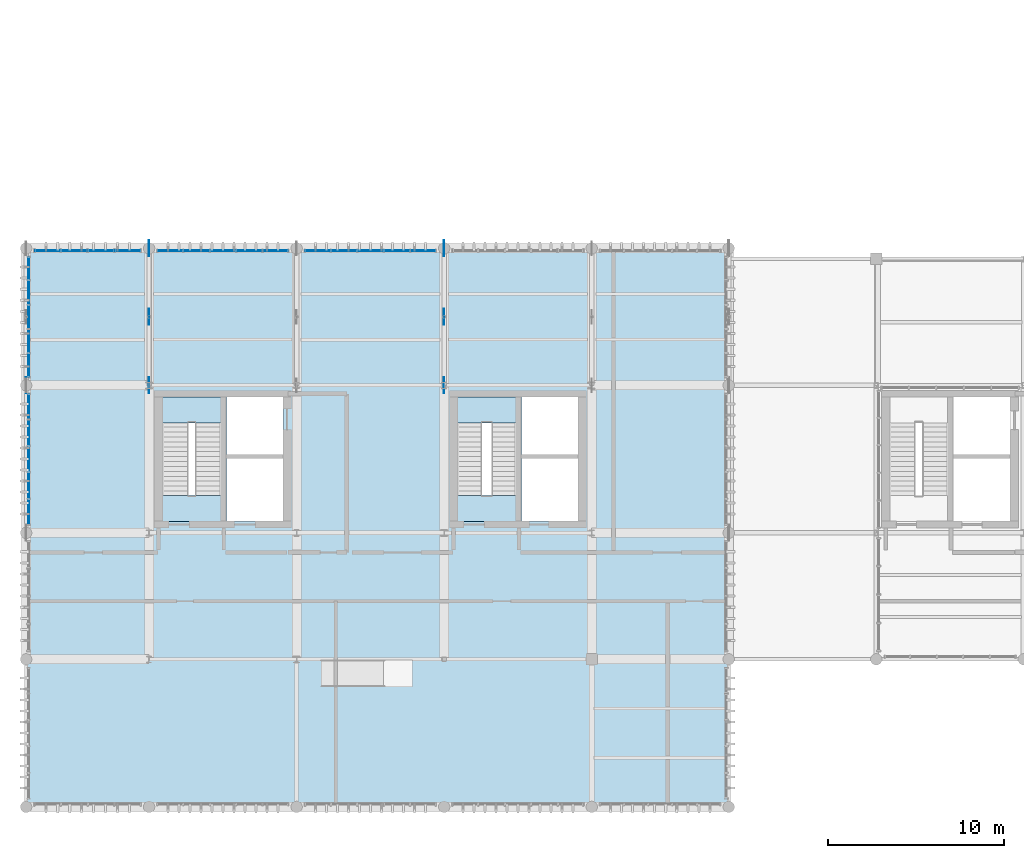
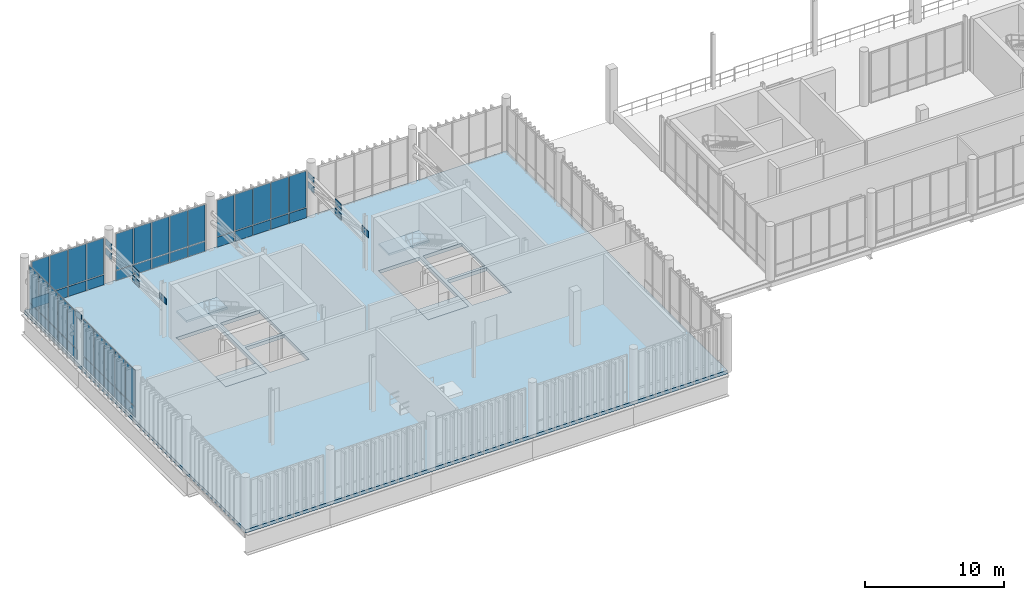
# One storey, part 60 of 81: 59 plates, 5 slabs, 7 elements without a shape of their own.
"""IFC4 building model written with IfcOpenShell, lengths in metres."""

import ifcopenshell
import ifcopenshell.guid

model = None  # the IFC model being written
_history = None  # IfcOwnerHistory: only IFC2X3 demands one
_inside = {}  # id of a spatial element -> (the spatial element, [elements in it])
_under = {}  # id of a project, library or spatial element -> (it, [spatial elements below it])
_declared = {}  # id of a project -> (the project, [libraries it declares])
_typed = {}  # id of a type object -> (the type object, [elements of that type])
_made_of = {}  # id of a material, layer set ... -> (it, [elements and type objects made of it])


def new_model(schema):
    """Start an empty IFC model of exactly this schema.

    Asked for "IFC4X3", IfcOpenShell would pick the latest addendum, in which some entities
    have other attributes; the version numbers below select the first issue.
    IFC2X3 requires an IfcOwnerHistory on every rooted entity: one is made here for all.
    """
    global model, _history
    if schema == "IFC4X3":
        model = ifcopenshell.file(schema_version=(4, 3, 0, 0))
    else:
        model = ifcopenshell.file(schema=schema)
    _inside.clear()
    _under.clear()
    _declared.clear()
    _typed.clear()
    _made_of.clear()
    _history = None
    if model.schema == "IFC2X3":
        org = make("IfcOrganization", Name="unknown")
        user = make(
            "IfcPersonAndOrganization",
            ThePerson=make("IfcPerson", FamilyName="unknown"),
            TheOrganization=org,
        )
        app = make(
            "IfcApplication",
            ApplicationDeveloper=org,
            Version="unknown",
            ApplicationFullName="unknown",
            ApplicationIdentifier="unknown",
        )
        _history = make(
            "IfcOwnerHistory",
            OwningUser=user,
            OwningApplication=app,
            ChangeAction="ADDED",
            CreationDate=0,
        )
    return model


def make(cls, **values):
    """One entity of the class cls with the attributes given. An attribute that is None is left unset."""
    return model.create_entity(
        cls, **{name: value for name, value in values.items() if value is not None}
    )


def rooted(cls, **values):
    """An entity with a GlobalId (a new one), such as an element, a storey or a relation."""
    return make(cls, GlobalId=ifcopenshell.guid.new(), OwnerHistory=_history, **values)


def si_unit(unit_type, name, prefix=None):
    """IfcSIUnit, for example si_unit("LENGTHUNIT", "METRE", prefix="MILLI")."""
    return make("IfcSIUnit", UnitType=unit_type, Prefix=prefix, Name=name)


def assignment(units):
    """IfcUnitAssignment: the units of a project."""
    return None if units is None else make("IfcUnitAssignment", Units=units)


def point(xyz):
    """IfcCartesianPoint."""
    return None if xyz is None else make("IfcCartesianPoint", Coordinates=xyz)


def direction(xyz):
    """IfcDirection."""
    return None if xyz is None else make("IfcDirection", DirectionRatios=xyz)


def frame(location, z_axis=None, x_axis=None):
    """IfcAxis2Placement3D, a coordinate frame: its origin and axes. An axis left out is left unset."""
    return make(
        "IfcAxis2Placement3D",
        Location=point(location),
        Axis=direction(z_axis),
        RefDirection=direction(x_axis),
    )


def frame_2d(location, x_axis=None):
    """IfcAxis2Placement2D, a coordinate frame in the plane: its origin and x axis."""
    return make(
        "IfcAxis2Placement2D", Location=point(location), RefDirection=direction(x_axis)
    )


def origin_with_axes():
    """The frame at (0, 0, 0) with the z axis (0, 0, 1) and the x axis (1, 0, 0) written out."""
    return frame((0.0, 0.0, 0.0), z_axis=(0.0, 0.0, 1.0), x_axis=(1.0, 0.0, 0.0))


def origin_2d_with_axis():
    """The frame at (0, 0) in the plane with the x axis (1, 0) written out."""
    return frame_2d((0.0, 0.0), x_axis=(1.0, 0.0))


def place(relative_to, where):
    """IfcLocalPlacement: puts the frame where relative to a parent placement (None: the world)."""
    return make(
        "IfcLocalPlacement", PlacementRelTo=relative_to, RelativePlacement=where
    )


def context(
    kind, dimensions, precision=None, world=None, true_north=None, identifier=None
):
    """IfcGeometricRepresentationContext, for example the 3D "Model" context."""
    return make(
        "IfcGeometricRepresentationContext",
        ContextIdentifier=identifier,
        ContextType=kind,
        CoordinateSpaceDimension=dimensions,
        Precision=precision,
        WorldCoordinateSystem=world,
        TrueNorth=true_north,
    )


def subcontext(parent, identifier, kind, view, scale=None):
    """IfcGeometricRepresentationSubContext, for example "Body" below "Model"."""
    return make(
        "IfcGeometricRepresentationSubContext",
        ContextIdentifier=identifier,
        ContextType=kind,
        ParentContext=parent,
        TargetScale=scale,
        TargetView=view,
    )


def project(units=None, contexts=None):
    """IfcProject with its units and contexts."""
    return rooted(
        "IfcProject",
        Name="project",
        RepresentationContexts=contexts,
        UnitsInContext=assignment(units),
    )


def spatial(cls, under=None, at=None, **own):
    """A site, building, storey or space (cls), placed at a placement, below another one or the project."""
    s = rooted(cls, ObjectPlacement=at, **own)
    if under is not None:
        _under.setdefault(under.id(), (under, []))[1].append(s)
    return s


def polyline(points):
    """IfcPolyline through the points."""
    return make("IfcPolyline", Points=[point(p) for p in points])


def profile(cls, at=None, kind="AREA", **sizes):
    """A parametric profile (cls). Its sizes go by their IFC names, for example OverallWidth=200.0."""
    return make(cls, ProfileType=kind, Position=at, **sizes)


def rectangle(**sizes):
    """IfcRectangleProfileDef."""
    return profile("IfcRectangleProfileDef", **sizes)


def outline(outer, holes=None, kind="AREA"):
    """IfcArbitraryClosedProfileDef: a profile drawn as a closed curve; with holes, ...WithVoids."""
    if holes is None:
        return make("IfcArbitraryClosedProfileDef", ProfileType=kind, OuterCurve=outer)
    return make(
        "IfcArbitraryProfileDefWithVoids",
        ProfileType=kind,
        OuterCurve=outer,
        InnerCurves=holes,
    )


def extrude(swept, where, along, depth):
    """IfcExtrudedAreaSolid: the profile swept, set in the frame where, extruded along a direction by depth."""
    return make(
        "IfcExtrudedAreaSolid",
        SweptArea=swept,
        Position=where,
        ExtrudedDirection=direction(along),
        Depth=depth,
    )


def shape(context_of_items, identifier, shape_type, items):
    """IfcShapeRepresentation: the items that make up one representation, for example the "Body"."""
    return make(
        "IfcShapeRepresentation",
        ContextOfItems=context_of_items,
        RepresentationIdentifier=identifier,
        RepresentationType=shape_type,
        Items=items,
    )


def material(Name=None, Category=None):
    """IfcMaterial."""
    return make("IfcMaterial", Name=Name, Category=Category)


def layer(
    of_material, thickness, ventilated=None, Name=None, Category=None, Priority=None
):
    """IfcMaterialLayer: one layer of a wall or slab, of a material (None: an air gap)."""
    return make(
        "IfcMaterialLayer",
        Material=of_material,
        LayerThickness=thickness,
        IsVentilated=ventilated,
        Name=Name,
        Category=Category,
        Priority=Priority,
    )


def layer_set(layers, Name=None):
    """IfcMaterialLayerSet."""
    return make("IfcMaterialLayerSet", MaterialLayers=layers, LayerSetName=Name)


def made_of(thing, what):
    """Note that an element or type object is made of a material, layer set ...; save() writes the relation."""
    if what is not None:
        _made_of.setdefault(what.id(), (what, []))[1].append(thing)
    return thing


def type_object(cls, material=None, **own):
    """A type object (cls), such as IfcWallType, which elements share."""
    return made_of(rooted(cls, **own), material)


def element(
    cls,
    number,
    at=None,
    inside=None,
    cuts=None,
    type_object=None,
    material=None,
    context=None,
    identifier="Body",
    shape_type=None,
    held_by="IfcProductDefinitionShape",
    body=None,
    shapes=None,
    **own,
):
    """One element of the class cls, such as IfcWall. Its Tag is "e" and its number.

    at: its placement. inside: the storey or other place that contains it. cuts: it is an
    opening in that element (IfcRelVoidsElement). A single representation is given by context,
    identifier, shape_type and body (its items); several are given by shapes. held_by: the class
    of the entity that holds the representations. save() writes the other relations.
    """
    e = rooted(cls, Tag="e%d" % number, ObjectPlacement=at, **own)
    if body is not None:
        shapes = [shape(context, identifier, shape_type, body)]
    if shapes is not None:
        e.Representation = make(held_by, Representations=shapes)
    if inside is not None:
        _inside.setdefault(inside.id(), (inside, []))[1].append(e)
    if cuts is not None:
        rooted(
            "IfcRelVoidsElement", RelatingBuildingElement=cuts, RelatedOpeningElement=e
        )
    if type_object is not None:
        _typed.setdefault(type_object.id(), (type_object, []))[1].append(e)
    return made_of(e, material)


def aggregate(whole, parts):
    """IfcRelAggregates: a whole, such as a stair, and the parts it consists of."""
    return rooted("IfcRelAggregates", RelatingObject=whole, RelatedObjects=parts)


def save(model, path):
    """Write the relations noted so far, then the file.

    IfcRelAggregates (storeys below a building ...), IfcRelContainedInSpatialStructure (elements
    in a storey), IfcRelDefinesByType, IfcRelAssociatesMaterial and IfcRelDeclares: one each for
    every whole, place, type object, material and project.
    """
    for whole, parts in _under.values():
        aggregate(whole, parts)
    for where, things in _inside.values():
        rooted(
            "IfcRelContainedInSpatialStructure",
            RelatedElements=things,
            RelatingStructure=where,
        )
    for kind, things in _typed.values():
        rooted("IfcRelDefinesByType", RelatedObjects=things, RelatingType=kind)
    for what, things in _made_of.values():
        rooted("IfcRelAssociatesMaterial", RelatedObjects=things, RelatingMaterial=what)
    for by, libraries in _declared.values():
        rooted("IfcRelDeclares", RelatingContext=by, RelatedDefinitions=libraries)
    model.write(path)


model = new_model("IFC4")

# Units and contexts
model_context = context("Model", 3, precision=1e-05, world=origin_with_axes(), true_north=direction((0.0, 1.0)))
body_context = subcontext(model_context, "Body", "Model", "MODEL_VIEW")
ifc_project = project(units=[si_unit("LENGTHUNIT", "METRE"), si_unit("AREAUNIT", "SQUARE_METRE"), si_unit("VOLUMEUNIT", "CUBIC_METRE"), si_unit("PLANEANGLEUNIT", "RADIAN"), si_unit("MASSUNIT", "GRAM", prefix="KILO"), si_unit("THERMODYNAMICTEMPERATUREUNIT", "KELVIN")], contexts=[model_context])

# Site, building, storey
site_placement = place(None, origin_with_axes())
site = spatial("IfcSite", under=ifc_project, at=site_placement, CompositionType="ELEMENT")
building_placement = place(site_placement, origin_with_axes())
building = spatial("IfcBuilding", under=site, at=building_placement, Name="Montbau Bow Law Courts", CompositionType="ELEMENT")
storey_placement = place(building_placement, frame((0.0, 0.0, 24.9), z_axis=(0.0, 0.0, 1.0), x_axis=(1.0, 0.0, 0.0)))
storey = spatial("IfcBuildingStorey", under=building, at=storey_placement, Name="L05", CompositionType="ELEMENT", Elevation=24.9)

# Curtain wall, plates
ifc_material_1 = material(Name="Thermally Broken Extruded Aluminium AA 6063-T6", Category="aluminium")
curtain_wall_type = type_object("IfcCurtainWallType", Name="CW-TRC-02", PredefinedType="NOTDEFINED", material=ifc_material_1)
curtain_wall_1_placement = place(None, frame((7.24, 62.26, 24.9), z_axis=(0.0, 0.0, 1.0), x_axis=(1.0, 0.0, 0.0)))
curtain_wall_1 = element("IfcCurtainWall", 1, at=curtain_wall_1_placement, inside=storey, type_object=curtain_wall_type, Name="CW-L05-081:cw_0081", PredefinedType="NOTDEFINED")
ifc_material_2 = material(Name="Triple-Glazed Low-E Argon Insulating Glass Unit", Category="glass")
ifc_layer_1 = layer(ifc_material_2, 0.044, Name="Curtain Panel", Category="glass")
ifc_layer_set_1 = layer_set([ifc_layer_1], Name="Triple-Glazed Low-E Argon Insulating Glass Unit")
plate_type_1 = type_object("IfcPlateType", Name="PL-CWP-01", PredefinedType="CURTAIN_PANEL", material=ifc_layer_set_1)
plate_1_placement = place(None, frame((7.316, 62.26, 25.88), z_axis=(0.0, -1.0, 0.0), x_axis=(1.0, 0.0, 0.0)))
plate_1 = element("IfcPlate", 2, at=plate_1_placement, type_object=plate_type_1, Name="CW-L05-081-P01-2:cw_0081_P01_2", PredefinedType="CURTAIN_PANEL", context=body_context, shape_type="SweptSolid", body=[
    extrude(rectangle(XDim=1.414, YDim=3.184, at=frame_2d((0.707, 1.592), x_axis=(1.0, 0.0))), frame((0.0, 0.0, -0.022), z_axis=(0.0, 0.0, 1.0), x_axis=(1.0, 0.0, 0.0)), (0.0, 0.0, 1.0), 0.044),
])
plate_2_placement = place(None, frame((8.81, 62.26, 25.88), z_axis=(0.0, -1.0, 0.0), x_axis=(1.0, 0.0, 0.0)))
plate_2 = element("IfcPlate", 3, at=plate_2_placement, type_object=plate_type_1, Name="CW-L05-081-P02-2:cw_0081_P02_2", PredefinedType="CURTAIN_PANEL", context=body_context, shape_type="SweptSolid", body=[
    extrude(rectangle(XDim=1.451, YDim=3.184, at=frame_2d((0.7255, 1.592), x_axis=(1.0, 0.0))), frame((0.0, 0.0, -0.022), z_axis=(0.0, 0.0, 1.0), x_axis=(1.0, 0.0, 0.0)), (0.0, 0.0, 1.0), 0.044),
])
plate_3_placement = place(None, frame((10.339, 62.26, 25.88), z_axis=(0.0, -1.0, 0.0), x_axis=(1.0, 0.0, 0.0)))
plate_3 = element("IfcPlate", 4, at=plate_3_placement, type_object=plate_type_1, Name="CW-L05-081-P03-2:cw_0081_P03_2", PredefinedType="CURTAIN_PANEL", context=body_context, shape_type="SweptSolid", body=[
    extrude(rectangle(XDim=1.452, YDim=3.184, at=frame_2d((0.726, 1.592), x_axis=(1.0, 0.0))), frame((0.0, 0.0, -0.022), z_axis=(0.0, 0.0, 1.0), x_axis=(1.0, 0.0, 0.0)), (0.0, 0.0, 1.0), 0.044),
])
plate_4_placement = place(None, frame((11.869, 62.26, 25.88), z_axis=(0.0, -1.0, 0.0), x_axis=(1.0, 0.0, 0.0)))
plate_4 = element("IfcPlate", 5, at=plate_4_placement, type_object=plate_type_1, Name="CW-L05-081-P04-2:cw_0081_P04_2", PredefinedType="CURTAIN_PANEL", context=body_context, shape_type="SweptSolid", body=[
    extrude(rectangle(XDim=1.414, YDim=3.184, at=frame_2d((0.707, 1.592), x_axis=(1.0, 0.0))), frame((0.0, 0.0, -0.022), z_axis=(0.0, 0.0, 1.0), x_axis=(1.0, 0.0, 0.0)), (0.0, 0.0, 1.0), 0.044),
])

curtain_wall_2_placement = place(None, frame((14.24, 62.26, 24.9), z_axis=(0.0, 0.0, 1.0), x_axis=(1.0, 0.0, 0.0)))
curtain_wall_2 = element("IfcCurtainWall", 6, at=curtain_wall_2_placement, inside=storey, type_object=curtain_wall_type, Name="CW-L05-082:cw_0082", PredefinedType="NOTDEFINED")
plate_5_placement = place(None, frame((14.308, 62.26, 25.882), z_axis=(0.0, -1.0, 0.0), x_axis=(1.0, 0.0, 0.0)))
plate_5 = element("IfcPlate", 7, at=plate_5_placement, type_object=plate_type_1, Name="CW-L05-082-P01-2:cw_0082_P01_2", PredefinedType="CURTAIN_PANEL", context=body_context, shape_type="SweptSolid", body=[
    extrude(rectangle(XDim=1.402, YDim=3.176, at=frame_2d((0.701, 1.588), x_axis=(1.0, 0.0))), frame((0.0, 0.0, -0.022), z_axis=(0.0, 0.0, 1.0), x_axis=(1.0, 0.0, 0.0)), (0.0, 0.0, 1.0), 0.044),
])
plate_6_placement = place(None, frame((15.778, 62.26, 25.882), z_axis=(0.0, -1.0, 0.0), x_axis=(1.0, 0.0, 0.0)))
plate_6 = element("IfcPlate", 8, at=plate_6_placement, type_object=plate_type_1, Name="CW-L05-082-P02-2:cw_0082_P02_2", PredefinedType="CURTAIN_PANEL", context=body_context, shape_type="SweptSolid", body=[
    extrude(rectangle(XDim=1.436, YDim=3.176, at=frame_2d((0.718, 1.588), x_axis=(1.0, 0.0))), frame((0.0, 0.0, -0.022), z_axis=(0.0, 0.0, 1.0), x_axis=(1.0, 0.0, 0.0)), (0.0, 0.0, 1.0), 0.044),
])
plate_7_placement = place(None, frame((17.282, 62.26, 25.882), z_axis=(0.0, -1.0, 0.0), x_axis=(1.0, 0.0, 0.0)))
plate_7 = element("IfcPlate", 9, at=plate_7_placement, type_object=plate_type_1, Name="CW-L05-082-P03-2:cw_0082_P03_2", PredefinedType="CURTAIN_PANEL", context=body_context, shape_type="SweptSolid", body=[
    extrude(rectangle(XDim=1.436, YDim=3.176, at=frame_2d((0.718, 1.588), x_axis=(1.0, 0.0))), frame((0.0, 0.0, -0.022), z_axis=(0.0, 0.0, 1.0), x_axis=(1.0, 0.0, 0.0)), (0.0, 0.0, 1.0), 0.044),
])
plate_8_placement = place(None, frame((18.786, 62.26, 25.882), z_axis=(0.0, -1.0, 0.0), x_axis=(1.0, 0.0, 0.0)))
plate_8 = element("IfcPlate", 10, at=plate_8_placement, type_object=plate_type_1, Name="CW-L05-082-P04-2:cw_0082_P04_2", PredefinedType="CURTAIN_PANEL", context=body_context, shape_type="SweptSolid", body=[
    extrude(rectangle(XDim=1.436, YDim=3.176, at=frame_2d((0.718, 1.588), x_axis=(1.0, 0.0))), frame((0.0, 0.0, -0.022), z_axis=(0.0, 0.0, 1.0), x_axis=(1.0, 0.0, 0.0)), (0.0, 0.0, 1.0), 0.044),
])
plate_9_placement = place(None, frame((20.29, 62.26, 25.882), z_axis=(0.0, -1.0, 0.0), x_axis=(1.0, 0.0, 0.0)))
plate_9 = element("IfcPlate", 11, at=plate_9_placement, type_object=plate_type_1, Name="CW-L05-082-P05-2:cw_0082_P05_2", PredefinedType="CURTAIN_PANEL", context=body_context, shape_type="SweptSolid", body=[
    extrude(rectangle(XDim=1.404, YDim=3.176, at=frame_2d((0.702, 1.588), x_axis=(1.0, 0.0))), frame((0.0, 0.0, -0.022), z_axis=(0.0, 0.0, 1.0), x_axis=(1.0, 0.0, 0.0)), (0.0, 0.0, 1.0), 0.044),
])

curtain_wall_3_placement = place(None, frame((22.64, 62.26, 24.9), z_axis=(0.0, 0.0, 1.0), x_axis=(1.0, 0.0, 0.0)))
curtain_wall_3 = element("IfcCurtainWall", 12, at=curtain_wall_3_placement, inside=storey, type_object=curtain_wall_type, Name="CW-L05-083:cw_0083", PredefinedType="NOTDEFINED")
plate_10_placement = place(None, frame((22.702, 62.26, 25.88), z_axis=(0.0, -1.0, 0.0), x_axis=(1.0, 0.0, 0.0)))
plate_10 = element("IfcPlate", 13, at=plate_10_placement, type_object=plate_type_1, Name="CW-L05-083-P01-2:cw_0083_P01_2", PredefinedType="CURTAIN_PANEL", context=body_context, shape_type="SweptSolid", body=[
    extrude(rectangle(XDim=1.41, YDim=3.184, at=frame_2d((0.705, 1.592), x_axis=(1.0, 0.0))), frame((0.0, 0.0, -0.022), z_axis=(0.0, 0.0, 1.0), x_axis=(1.0, 0.0, 0.0)), (0.0, 0.0, 1.0), 0.044),
])
plate_11_placement = place(None, frame((24.176, 62.26, 25.88), z_axis=(0.0, -1.0, 0.0), x_axis=(1.0, 0.0, 0.0)))
plate_11 = element("IfcPlate", 14, at=plate_11_placement, type_object=plate_type_1, Name="CW-L05-083-P02-2:cw_0083_P02_2", PredefinedType="CURTAIN_PANEL", context=body_context, shape_type="SweptSolid", body=[
    extrude(rectangle(XDim=1.44, YDim=3.184, at=frame_2d((0.72, 1.592), x_axis=(1.0, 0.0))), frame((0.0, 0.0, -0.022), z_axis=(0.0, 0.0, 1.0), x_axis=(1.0, 0.0, 0.0)), (0.0, 0.0, 1.0), 0.044),
])
plate_12_placement = place(None, frame((25.68, 62.26, 25.88), z_axis=(0.0, -1.0, 0.0), x_axis=(1.0, 0.0, 0.0)))
plate_12 = element("IfcPlate", 15, at=plate_12_placement, type_object=plate_type_1, Name="CW-L05-083-P03-2:cw_0083_P03_2", PredefinedType="CURTAIN_PANEL", context=body_context, shape_type="SweptSolid", body=[
    extrude(rectangle(XDim=1.44, YDim=3.184, at=frame_2d((0.72, 1.592), x_axis=(1.0, 0.0))), frame((0.0, 0.0, -0.022), z_axis=(0.0, 0.0, 1.0), x_axis=(1.0, 0.0, 0.0)), (0.0, 0.0, 1.0), 0.044),
])
plate_13_placement = place(None, frame((27.184, 62.26, 25.88), z_axis=(0.0, -1.0, 0.0), x_axis=(1.0, 0.0, 0.0)))
plate_13 = element("IfcPlate", 16, at=plate_13_placement, type_object=plate_type_1, Name="CW-L05-083-P04-2:cw_0083_P04_2", PredefinedType="CURTAIN_PANEL", context=body_context, shape_type="SweptSolid", body=[
    extrude(rectangle(XDim=1.44, YDim=3.184, at=frame_2d((0.72, 1.592), x_axis=(1.0, 0.0))), frame((0.0, 0.0, -0.022), z_axis=(0.0, 0.0, 1.0), x_axis=(1.0, 0.0, 0.0)), (0.0, 0.0, 1.0), 0.044),
])
plate_14_placement = place(None, frame((28.688, 62.26, 25.88), z_axis=(0.0, -1.0, 0.0), x_axis=(1.0, 0.0, 0.0)))
plate_14 = element("IfcPlate", 17, at=plate_14_placement, type_object=plate_type_1, Name="CW-L05-083-P05-2:cw_0083_P05_2", PredefinedType="CURTAIN_PANEL", context=body_context, shape_type="SweptSolid", body=[
    extrude(rectangle(XDim=1.41, YDim=3.184, at=frame_2d((0.705, 1.592), x_axis=(1.0, 0.0))), frame((0.0, 0.0, -0.022), z_axis=(0.0, 0.0, 1.0), x_axis=(1.0, 0.0, 0.0)), (0.0, 0.0, 1.0), 0.044),
])

curtain_wall_4_placement = place(None, frame((6.94, 46.64, 24.9), z_axis=(0.0, 0.0, 1.0), x_axis=(1.0, 0.0, 0.0)))
curtain_wall_4 = element("IfcCurtainWall", 18, at=curtain_wall_4_placement, inside=storey, type_object=curtain_wall_type, Name="CW-L05-088:cw_0088", PredefinedType="NOTDEFINED")
plate_15_placement = place(None, frame((6.94, 46.708, 25.882), z_axis=(1.0, 0.0, 0.0), x_axis=(0.0, 1.0, 0.0)))
plate_15 = element("IfcPlate", 19, at=plate_15_placement, type_object=plate_type_1, Name="CW-L05-088-P01-2:cw_0088_P01_2", PredefinedType="CURTAIN_PANEL", context=body_context, shape_type="SweptSolid", body=[
    extrude(rectangle(XDim=1.402, YDim=3.176, at=frame_2d((0.701, 1.588), x_axis=(1.0, 0.0))), frame((0.0, 0.0, -0.022), z_axis=(0.0, 0.0, 1.0), x_axis=(1.0, 0.0, 0.0)), (0.0, 0.0, 1.0), 0.044),
])
plate_16_placement = place(None, frame((6.94, 48.178, 25.882), z_axis=(1.0, 0.0, 0.0), x_axis=(0.0, 1.0, 0.0)))
plate_16 = element("IfcPlate", 20, at=plate_16_placement, type_object=plate_type_1, Name="CW-L05-088-P02-2:cw_0088_P02_2", PredefinedType="CURTAIN_PANEL", context=body_context, shape_type="SweptSolid", body=[
    extrude(rectangle(XDim=1.436, YDim=3.176, at=frame_2d((0.718, 1.588), x_axis=(1.0, 0.0))), frame((0.0, 0.0, -0.022), z_axis=(0.0, 0.0, 1.0), x_axis=(1.0, 0.0, 0.0)), (0.0, 0.0, 1.0), 0.044),
])
plate_17_placement = place(None, frame((6.94, 49.682, 25.882), z_axis=(1.0, 0.0, 0.0), x_axis=(0.0, 1.0, 0.0)))
plate_17 = element("IfcPlate", 21, at=plate_17_placement, type_object=plate_type_1, Name="CW-L05-088-P03-2:cw_0088_P03_2", PredefinedType="CURTAIN_PANEL", context=body_context, shape_type="SweptSolid", body=[
    extrude(rectangle(XDim=1.436, YDim=3.176, at=frame_2d((0.718, 1.588), x_axis=(1.0, 0.0))), frame((0.0, 0.0, -0.022), z_axis=(0.0, 0.0, 1.0), x_axis=(1.0, 0.0, 0.0)), (0.0, 0.0, 1.0), 0.044),
])
plate_18_placement = place(None, frame((6.94, 51.186, 25.882), z_axis=(1.0, 0.0, 0.0), x_axis=(0.0, 1.0, 0.0)))
plate_18 = element("IfcPlate", 22, at=plate_18_placement, type_object=plate_type_1, Name="CW-L05-088-P04-2:cw_0088_P04_2", PredefinedType="CURTAIN_PANEL", context=body_context, shape_type="SweptSolid", body=[
    extrude(rectangle(XDim=1.436, YDim=3.176, at=frame_2d((0.718, 1.588), x_axis=(1.0, 0.0))), frame((0.0, 0.0, -0.022), z_axis=(0.0, 0.0, 1.0), x_axis=(1.0, 0.0, 0.0)), (0.0, 0.0, 1.0), 0.044),
])
plate_19_placement = place(None, frame((6.94, 52.69, 25.882), z_axis=(1.0, 0.0, 0.0), x_axis=(0.0, 1.0, 0.0)))
plate_19 = element("IfcPlate", 23, at=plate_19_placement, type_object=plate_type_1, Name="CW-L05-088-P05-2:cw_0088_P05_2", PredefinedType="CURTAIN_PANEL", context=body_context, shape_type="SweptSolid", body=[
    extrude(rectangle(XDim=1.403, YDim=3.176, at=frame_2d((0.7015, 1.588), x_axis=(1.0, 0.0))), frame((0.0, 0.0, -0.022), z_axis=(0.0, 0.0, 1.0), x_axis=(1.0, 0.0, 0.0)), (0.0, 0.0, 1.0), 0.044),
])

curtain_wall_5_placement = place(None, frame((6.94, 55.04, 24.9), z_axis=(0.0, 0.0, 1.0), x_axis=(1.0, 0.0, 0.0)))
curtain_wall_5 = element("IfcCurtainWall", 24, at=curtain_wall_5_placement, inside=storey, type_object=curtain_wall_type, Name="CW-L05-089:cw_0089", PredefinedType="NOTDEFINED")
plate_20_placement = place(None, frame((6.94, 55.102, 25.88), z_axis=(1.0, 0.0, 0.0), x_axis=(0.0, 1.0, 0.0)))
plate_20 = element("IfcPlate", 25, at=plate_20_placement, type_object=plate_type_1, Name="CW-L05-089-P01-2:cw_0089_P01_2", PredefinedType="CURTAIN_PANEL", context=body_context, shape_type="SweptSolid", body=[
    extrude(rectangle(XDim=1.29, YDim=3.184, at=frame_2d((0.645, 1.592), x_axis=(1.0, 0.0))), frame((0.0, 0.0, -0.022), z_axis=(0.0, 0.0, 1.0), x_axis=(1.0, 0.0, 0.0)), (0.0, 0.0, 1.0), 0.044),
])
plate_21_placement = place(None, frame((6.94, 56.456, 25.88), z_axis=(1.0, 0.0, 0.0), x_axis=(0.0, 1.0, 0.0)))
plate_21 = element("IfcPlate", 26, at=plate_21_placement, type_object=plate_type_1, Name="CW-L05-089-P02-2:cw_0089_P02_2", PredefinedType="CURTAIN_PANEL", context=body_context, shape_type="SweptSolid", body=[
    extrude(rectangle(XDim=1.32, YDim=3.184, at=frame_2d((0.66, 1.592), x_axis=(1.0, 0.0))), frame((0.0, 0.0, -0.022), z_axis=(0.0, 0.0, 1.0), x_axis=(1.0, 0.0, 0.0)), (0.0, 0.0, 1.0), 0.044),
])
plate_22_placement = place(None, frame((6.94, 57.84, 25.88), z_axis=(1.0, 0.0, 0.0), x_axis=(0.0, 1.0, 0.0)))
plate_22 = element("IfcPlate", 27, at=plate_22_placement, type_object=plate_type_1, Name="CW-L05-089-P03-2:cw_0089_P03_2", PredefinedType="CURTAIN_PANEL", context=body_context, shape_type="SweptSolid", body=[
    extrude(rectangle(XDim=1.32, YDim=3.184, at=frame_2d((0.66, 1.592), x_axis=(1.0, 0.0))), frame((0.0, 0.0, -0.022), z_axis=(0.0, 0.0, 1.0), x_axis=(1.0, 0.0, 0.0)), (0.0, 0.0, 1.0), 0.044),
])
plate_23_placement = place(None, frame((6.94, 59.224, 25.88), z_axis=(1.0, 0.0, 0.0), x_axis=(0.0, 1.0, 0.0)))
plate_23 = element("IfcPlate", 28, at=plate_23_placement, type_object=plate_type_1, Name="CW-L05-089-P04-2:cw_0089_P04_2", PredefinedType="CURTAIN_PANEL", context=body_context, shape_type="SweptSolid", body=[
    extrude(rectangle(XDim=1.32, YDim=3.184, at=frame_2d((0.66, 1.592), x_axis=(1.0, 0.0))), frame((0.0, 0.0, -0.022), z_axis=(0.0, 0.0, 1.0), x_axis=(1.0, 0.0, 0.0)), (0.0, 0.0, 1.0), 0.044),
])
plate_24_placement = place(None, frame((6.94, 60.608, 25.88), z_axis=(1.0, 0.0, 0.0), x_axis=(0.0, 1.0, 0.0)))
plate_24 = element("IfcPlate", 29, at=plate_24_placement, type_object=plate_type_1, Name="CW-L05-089-P05-2:cw_0089_P05_2", PredefinedType="CURTAIN_PANEL", context=body_context, shape_type="SweptSolid", body=[
    extrude(rectangle(XDim=1.29, YDim=3.184, at=frame_2d((0.645, 1.592), x_axis=(1.0, 0.0))), frame((0.0, 0.0, -0.022), z_axis=(0.0, 0.0, 1.0), x_axis=(1.0, 0.0, 0.0)), (0.0, 0.0, 1.0), 0.044),
])

# Plate
ifc_material_3 = material(Name="Insulated Ceramic-Frit Spandrel Glazing Unit", Category="glass")
ifc_layer_2 = layer(ifc_material_3, 0.056, Name="Curtain Panel", Category="glass")
ifc_layer_set_2 = layer_set([ifc_layer_2], Name="Insulated Ceramic-Frit Spandrel Glazing Unit")
plate_type_2 = type_object("IfcPlateType", Name="PL-CWP-02", PredefinedType="CURTAIN_PANEL", material=ifc_layer_set_2)
plate_25_placement = place(None, frame((7.316, 62.26, 24.956), z_axis=(0.0, -1.0, 0.0), x_axis=(1.0, 0.0, 0.0)))
plate_25 = element("IfcPlate", 30, at=plate_25_placement, type_object=plate_type_2, Name="CW-L05-081-P01-1:cw_0081_P01_1", PredefinedType="CURTAIN_PANEL", context=body_context, shape_type="SweptSolid", body=[
    extrude(rectangle(XDim=1.414, YDim=0.865, at=frame_2d((0.707, 0.4325), x_axis=(1.0, 0.0))), frame((0.0, 0.0, -0.028), z_axis=(0.0, 0.0, 1.0), x_axis=(1.0, 0.0, 0.0)), (0.0, 0.0, 1.0), 0.056),
])

plate_26_placement = place(None, frame((8.81, 62.26, 24.956), z_axis=(0.0, -1.0, 0.0), x_axis=(1.0, 0.0, 0.0)))
plate_26 = element("IfcPlate", 31, at=plate_26_placement, type_object=plate_type_2, Name="CW-L05-081-P02-1:cw_0081_P02_1", PredefinedType="CURTAIN_PANEL", context=body_context, shape_type="SweptSolid", body=[
    extrude(rectangle(XDim=1.451, YDim=0.865, at=frame_2d((0.7255, 0.4325), x_axis=(1.0, 0.0))), frame((0.0, 0.0, -0.028), z_axis=(0.0, 0.0, 1.0), x_axis=(1.0, 0.0, 0.0)), (0.0, 0.0, 1.0), 0.056),
])

plate_27_placement = place(None, frame((10.339, 62.26, 24.956), z_axis=(0.0, -1.0, 0.0), x_axis=(1.0, 0.0, 0.0)))
plate_27 = element("IfcPlate", 32, at=plate_27_placement, type_object=plate_type_2, Name="CW-L05-081-P03-1:cw_0081_P03_1", PredefinedType="CURTAIN_PANEL", context=body_context, shape_type="SweptSolid", body=[
    extrude(rectangle(XDim=1.452, YDim=0.865, at=frame_2d((0.726, 0.4325), x_axis=(1.0, 0.0))), frame((0.0, 0.0, -0.028), z_axis=(0.0, 0.0, 1.0), x_axis=(1.0, 0.0, 0.0)), (0.0, 0.0, 1.0), 0.056),
])

plate_28_placement = place(None, frame((11.869, 62.26, 24.956), z_axis=(0.0, -1.0, 0.0), x_axis=(1.0, 0.0, 0.0)))
plate_28 = element("IfcPlate", 33, at=plate_28_placement, type_object=plate_type_2, Name="CW-L05-081-P04-1:cw_0081_P04_1", PredefinedType="CURTAIN_PANEL", context=body_context, shape_type="SweptSolid", body=[
    extrude(rectangle(XDim=1.414, YDim=0.865, at=frame_2d((0.707, 0.4325), x_axis=(1.0, 0.0))), frame((0.0, 0.0, -0.028), z_axis=(0.0, 0.0, 1.0), x_axis=(1.0, 0.0, 0.0)), (0.0, 0.0, 1.0), 0.056),
])

aggregate(curtain_wall_1, [plate_25, plate_1, plate_26, plate_2, plate_27, plate_3, plate_28, plate_4])

plate_29_placement = place(None, frame((14.308, 62.26, 24.962), z_axis=(0.0, -1.0, 0.0), x_axis=(1.0, 0.0, 0.0)))
plate_29 = element("IfcPlate", 34, at=plate_29_placement, type_object=plate_type_2, Name="CW-L05-082-P01-1:cw_0082_P01_1", PredefinedType="CURTAIN_PANEL", context=body_context, shape_type="SweptSolid", body=[
    extrude(rectangle(XDim=1.402, YDim=0.856, at=frame_2d((0.701, 0.428), x_axis=(1.0, 0.0))), frame((0.0, 0.0, -0.028), z_axis=(0.0, 0.0, 1.0), x_axis=(1.0, 0.0, 0.0)), (0.0, 0.0, 1.0), 0.056),
])

plate_30_placement = place(None, frame((15.778, 62.26, 24.962), z_axis=(0.0, -1.0, 0.0), x_axis=(1.0, 0.0, 0.0)))
plate_30 = element("IfcPlate", 35, at=plate_30_placement, type_object=plate_type_2, Name="CW-L05-082-P02-1:cw_0082_P02_1", PredefinedType="CURTAIN_PANEL", context=body_context, shape_type="SweptSolid", body=[
    extrude(rectangle(XDim=1.436, YDim=0.856, at=frame_2d((0.718, 0.428), x_axis=(1.0, 0.0))), frame((0.0, 0.0, -0.028), z_axis=(0.0, 0.0, 1.0), x_axis=(1.0, 0.0, 0.0)), (0.0, 0.0, 1.0), 0.056),
])

plate_31_placement = place(None, frame((17.282, 62.26, 24.962), z_axis=(0.0, -1.0, 0.0), x_axis=(1.0, 0.0, 0.0)))
plate_31 = element("IfcPlate", 36, at=plate_31_placement, type_object=plate_type_2, Name="CW-L05-082-P03-1:cw_0082_P03_1", PredefinedType="CURTAIN_PANEL", context=body_context, shape_type="SweptSolid", body=[
    extrude(rectangle(XDim=1.436, YDim=0.856, at=frame_2d((0.718, 0.428), x_axis=(1.0, 0.0))), frame((0.0, 0.0, -0.028), z_axis=(0.0, 0.0, 1.0), x_axis=(1.0, 0.0, 0.0)), (0.0, 0.0, 1.0), 0.056),
])

plate_32_placement = place(None, frame((18.786, 62.26, 24.962), z_axis=(0.0, -1.0, 0.0), x_axis=(1.0, 0.0, 0.0)))
plate_32 = element("IfcPlate", 37, at=plate_32_placement, type_object=plate_type_2, Name="CW-L05-082-P04-1:cw_0082_P04_1", PredefinedType="CURTAIN_PANEL", context=body_context, shape_type="SweptSolid", body=[
    extrude(rectangle(XDim=1.436, YDim=0.856, at=frame_2d((0.718, 0.428), x_axis=(1.0, 0.0))), frame((0.0, 0.0, -0.028), z_axis=(0.0, 0.0, 1.0), x_axis=(1.0, 0.0, 0.0)), (0.0, 0.0, 1.0), 0.056),
])

plate_33_placement = place(None, frame((20.29, 62.26, 24.962), z_axis=(0.0, -1.0, 0.0), x_axis=(1.0, 0.0, 0.0)))
plate_33 = element("IfcPlate", 38, at=plate_33_placement, type_object=plate_type_2, Name="CW-L05-082-P05-1:cw_0082_P05_1", PredefinedType="CURTAIN_PANEL", context=body_context, shape_type="SweptSolid", body=[
    extrude(rectangle(XDim=1.404, YDim=0.856, at=frame_2d((0.702, 0.428), x_axis=(1.0, 0.0))), frame((0.0, 0.0, -0.028), z_axis=(0.0, 0.0, 1.0), x_axis=(1.0, 0.0, 0.0)), (0.0, 0.0, 1.0), 0.056),
])

aggregate(curtain_wall_2, [plate_29, plate_5, plate_30, plate_6, plate_31, plate_7, plate_32, plate_8, plate_33, plate_9])

plate_34_placement = place(None, frame((22.702, 62.26, 24.956), z_axis=(0.0, -1.0, 0.0), x_axis=(1.0, 0.0, 0.0)))
plate_34 = element("IfcPlate", 39, at=plate_34_placement, type_object=plate_type_2, Name="CW-L05-083-P01-1:cw_0083_P01_1", PredefinedType="CURTAIN_PANEL", context=body_context, shape_type="SweptSolid", body=[
    extrude(rectangle(XDim=1.41, YDim=0.865, at=frame_2d((0.705, 0.4325), x_axis=(1.0, 0.0))), frame((0.0, 0.0, -0.028), z_axis=(0.0, 0.0, 1.0), x_axis=(1.0, 0.0, 0.0)), (0.0, 0.0, 1.0), 0.056),
])

plate_35_placement = place(None, frame((24.176, 62.26, 24.956), z_axis=(0.0, -1.0, 0.0), x_axis=(1.0, 0.0, 0.0)))
plate_35 = element("IfcPlate", 40, at=plate_35_placement, type_object=plate_type_2, Name="CW-L05-083-P02-1:cw_0083_P02_1", PredefinedType="CURTAIN_PANEL", context=body_context, shape_type="SweptSolid", body=[
    extrude(rectangle(XDim=1.44, YDim=0.865, at=frame_2d((0.72, 0.4325), x_axis=(1.0, 0.0))), frame((0.0, 0.0, -0.028), z_axis=(0.0, 0.0, 1.0), x_axis=(1.0, 0.0, 0.0)), (0.0, 0.0, 1.0), 0.056),
])

plate_36_placement = place(None, frame((25.68, 62.26, 24.956), z_axis=(0.0, -1.0, 0.0), x_axis=(1.0, 0.0, 0.0)))
plate_36 = element("IfcPlate", 41, at=plate_36_placement, type_object=plate_type_2, Name="CW-L05-083-P03-1:cw_0083_P03_1", PredefinedType="CURTAIN_PANEL", context=body_context, shape_type="SweptSolid", body=[
    extrude(rectangle(XDim=1.44, YDim=0.865, at=frame_2d((0.72, 0.4325), x_axis=(1.0, 0.0))), frame((0.0, 0.0, -0.028), z_axis=(0.0, 0.0, 1.0), x_axis=(1.0, 0.0, 0.0)), (0.0, 0.0, 1.0), 0.056),
])

plate_37_placement = place(None, frame((27.184, 62.26, 24.956), z_axis=(0.0, -1.0, 0.0), x_axis=(1.0, 0.0, 0.0)))
plate_37 = element("IfcPlate", 42, at=plate_37_placement, type_object=plate_type_2, Name="CW-L05-083-P04-1:cw_0083_P04_1", PredefinedType="CURTAIN_PANEL", context=body_context, shape_type="SweptSolid", body=[
    extrude(rectangle(XDim=1.44, YDim=0.865, at=frame_2d((0.72, 0.4325), x_axis=(1.0, 0.0))), frame((0.0, 0.0, -0.028), z_axis=(0.0, 0.0, 1.0), x_axis=(1.0, 0.0, 0.0)), (0.0, 0.0, 1.0), 0.056),
])

plate_38_placement = place(None, frame((28.688, 62.26, 24.956), z_axis=(0.0, -1.0, 0.0), x_axis=(1.0, 0.0, 0.0)))
plate_38 = element("IfcPlate", 43, at=plate_38_placement, type_object=plate_type_2, Name="CW-L05-083-P05-1:cw_0083_P05_1", PredefinedType="CURTAIN_PANEL", context=body_context, shape_type="SweptSolid", body=[
    extrude(rectangle(XDim=1.41, YDim=0.865, at=frame_2d((0.705, 0.4325), x_axis=(1.0, 0.0))), frame((0.0, 0.0, -0.028), z_axis=(0.0, 0.0, 1.0), x_axis=(1.0, 0.0, 0.0)), (0.0, 0.0, 1.0), 0.056),
])

aggregate(curtain_wall_3, [plate_34, plate_10, plate_35, plate_11, plate_36, plate_12, plate_37, plate_13, plate_38, plate_14])

plate_39_placement = place(None, frame((6.94, 46.708, 24.962), z_axis=(1.0, 0.0, 0.0), x_axis=(0.0, 1.0, 0.0)))
plate_39 = element("IfcPlate", 44, at=plate_39_placement, type_object=plate_type_2, Name="CW-L05-088-P01-1:cw_0088_P01_1", PredefinedType="CURTAIN_PANEL", context=body_context, shape_type="SweptSolid", body=[
    extrude(rectangle(XDim=1.402, YDim=0.856, at=frame_2d((0.701, 0.428), x_axis=(1.0, 0.0))), frame((0.0, 0.0, -0.028), z_axis=(0.0, 0.0, 1.0), x_axis=(1.0, 0.0, 0.0)), (0.0, 0.0, 1.0), 0.056),
])

plate_40_placement = place(None, frame((6.94, 48.178, 24.962), z_axis=(1.0, 0.0, 0.0), x_axis=(0.0, 1.0, 0.0)))
plate_40 = element("IfcPlate", 45, at=plate_40_placement, type_object=plate_type_2, Name="CW-L05-088-P02-1:cw_0088_P02_1", PredefinedType="CURTAIN_PANEL", context=body_context, shape_type="SweptSolid", body=[
    extrude(rectangle(XDim=1.436, YDim=0.856, at=frame_2d((0.718, 0.428), x_axis=(1.0, 0.0))), frame((0.0, 0.0, -0.028), z_axis=(0.0, 0.0, 1.0), x_axis=(1.0, 0.0, 0.0)), (0.0, 0.0, 1.0), 0.056),
])

plate_41_placement = place(None, frame((6.94, 49.682, 24.962), z_axis=(1.0, 0.0, 0.0), x_axis=(0.0, 1.0, 0.0)))
plate_41 = element("IfcPlate", 46, at=plate_41_placement, type_object=plate_type_2, Name="CW-L05-088-P03-1:cw_0088_P03_1", PredefinedType="CURTAIN_PANEL", context=body_context, shape_type="SweptSolid", body=[
    extrude(rectangle(XDim=1.436, YDim=0.856, at=frame_2d((0.718, 0.428), x_axis=(1.0, 0.0))), frame((0.0, 0.0, -0.028), z_axis=(0.0, 0.0, 1.0), x_axis=(1.0, 0.0, 0.0)), (0.0, 0.0, 1.0), 0.056),
])

plate_42_placement = place(None, frame((6.94, 51.186, 24.962), z_axis=(1.0, 0.0, 0.0), x_axis=(0.0, 1.0, 0.0)))
plate_42 = element("IfcPlate", 47, at=plate_42_placement, type_object=plate_type_2, Name="CW-L05-088-P04-1:cw_0088_P04_1", PredefinedType="CURTAIN_PANEL", context=body_context, shape_type="SweptSolid", body=[
    extrude(rectangle(XDim=1.436, YDim=0.856, at=frame_2d((0.718, 0.428), x_axis=(1.0, 0.0))), frame((0.0, 0.0, -0.028), z_axis=(0.0, 0.0, 1.0), x_axis=(1.0, 0.0, 0.0)), (0.0, 0.0, 1.0), 0.056),
])

plate_43_placement = place(None, frame((6.94, 52.69, 24.962), z_axis=(1.0, 0.0, 0.0), x_axis=(0.0, 1.0, 0.0)))
plate_43 = element("IfcPlate", 48, at=plate_43_placement, type_object=plate_type_2, Name="CW-L05-088-P05-1:cw_0088_P05_1", PredefinedType="CURTAIN_PANEL", context=body_context, shape_type="SweptSolid", body=[
    extrude(rectangle(XDim=1.403, YDim=0.856, at=frame_2d((0.7015, 0.428), x_axis=(1.0, 0.0))), frame((0.0, 0.0, -0.028), z_axis=(0.0, 0.0, 1.0), x_axis=(1.0, 0.0, 0.0)), (0.0, 0.0, 1.0), 0.056),
])

aggregate(curtain_wall_4, [plate_39, plate_15, plate_40, plate_16, plate_41, plate_17, plate_42, plate_18, plate_43, plate_19])

plate_44_placement = place(None, frame((6.94, 55.102, 24.956), z_axis=(1.0, 0.0, 0.0), x_axis=(0.0, 1.0, 0.0)))
plate_44 = element("IfcPlate", 49, at=plate_44_placement, type_object=plate_type_2, Name="CW-L05-089-P01-1:cw_0089_P01_1", PredefinedType="CURTAIN_PANEL", context=body_context, shape_type="SweptSolid", body=[
    extrude(rectangle(XDim=1.29, YDim=0.865, at=frame_2d((0.645, 0.4325), x_axis=(1.0, 0.0))), frame((0.0, 0.0, -0.028), z_axis=(0.0, 0.0, 1.0), x_axis=(1.0, 0.0, 0.0)), (0.0, 0.0, 1.0), 0.056),
])

plate_45_placement = place(None, frame((6.94, 56.456, 24.956), z_axis=(1.0, 0.0, 0.0), x_axis=(0.0, 1.0, 0.0)))
plate_45 = element("IfcPlate", 50, at=plate_45_placement, type_object=plate_type_2, Name="CW-L05-089-P02-1:cw_0089_P02_1", PredefinedType="CURTAIN_PANEL", context=body_context, shape_type="SweptSolid", body=[
    extrude(rectangle(XDim=1.32, YDim=0.865, at=frame_2d((0.66, 0.4325), x_axis=(1.0, 0.0))), frame((0.0, 0.0, -0.028), z_axis=(0.0, 0.0, 1.0), x_axis=(1.0, 0.0, 0.0)), (0.0, 0.0, 1.0), 0.056),
])

plate_46_placement = place(None, frame((6.94, 57.84, 24.956), z_axis=(1.0, 0.0, 0.0), x_axis=(0.0, 1.0, 0.0)))
plate_46 = element("IfcPlate", 51, at=plate_46_placement, type_object=plate_type_2, Name="CW-L05-089-P03-1:cw_0089_P03_1", PredefinedType="CURTAIN_PANEL", context=body_context, shape_type="SweptSolid", body=[
    extrude(rectangle(XDim=1.32, YDim=0.865, at=frame_2d((0.66, 0.4325), x_axis=(1.0, 0.0))), frame((0.0, 0.0, -0.028), z_axis=(0.0, 0.0, 1.0), x_axis=(1.0, 0.0, 0.0)), (0.0, 0.0, 1.0), 0.056),
])

plate_47_placement = place(None, frame((6.94, 59.224, 24.956), z_axis=(1.0, 0.0, 0.0), x_axis=(0.0, 1.0, 0.0)))
plate_47 = element("IfcPlate", 52, at=plate_47_placement, type_object=plate_type_2, Name="CW-L05-089-P04-1:cw_0089_P04_1", PredefinedType="CURTAIN_PANEL", context=body_context, shape_type="SweptSolid", body=[
    extrude(rectangle(XDim=1.32, YDim=0.865, at=frame_2d((0.66, 0.4325), x_axis=(1.0, 0.0))), frame((0.0, 0.0, -0.028), z_axis=(0.0, 0.0, 1.0), x_axis=(1.0, 0.0, 0.0)), (0.0, 0.0, 1.0), 0.056),
])

plate_48_placement = place(None, frame((6.94, 60.608, 24.956), z_axis=(1.0, 0.0, 0.0), x_axis=(0.0, 1.0, 0.0)))
plate_48 = element("IfcPlate", 53, at=plate_48_placement, type_object=plate_type_2, Name="CW-L05-089-P05-1:cw_0089_P05_1", PredefinedType="CURTAIN_PANEL", context=body_context, shape_type="SweptSolid", body=[
    extrude(rectangle(XDim=1.29, YDim=0.865, at=frame_2d((0.645, 0.4325), x_axis=(1.0, 0.0))), frame((0.0, 0.0, -0.028), z_axis=(0.0, 0.0, 1.0), x_axis=(1.0, 0.0, 0.0)), (0.0, 0.0, 1.0), 0.056),
])

aggregate(curtain_wall_5, [plate_44, plate_20, plate_45, plate_21, plate_46, plate_22, plate_47, plate_23, plate_48, plate_24])

# Plates
ifc_material_4 = material(Name="Steel CSA G40.21 Grade 350WT (350 MPa)", Category="steel")
ifc_layer_3 = layer(ifc_material_4, 0.032, Name="Gusset Plate", Category="steel")
ifc_layer_set_3 = layer_set([ifc_layer_3], Name="Steel CSA G40.21 Grade 350WT (350 MPa)")
plate_type_3 = type_object("IfcPlateType", Name="PL-GUS-01", PredefinedType="USERDEFINED", material=ifc_layer_set_3)
for number, where, z_axis, x_axis, name in (
    (54, (13.8, 54.6, 27.92), (0.0, 0.0, 1.0), (0.0, 1.0, 0.0), "BGP-L05-006:plt_0037"),
    (55, (13.8, 58.5, 27.08), (0.0, 0.0, 1.0), (0.0, 1.0, 0.0), "BGP-L05-007:plt_0038"),
    (56, (13.8, 58.5, 27.92), (0.0, 0.0, 1.0), (0.0, 1.0, 0.0), "BGP-L05-008:plt_0039"),
    (57, (13.8, 62.4, 27.08), (0.0, 0.0, 1.0), (0.0, 1.0, 0.0), "BGP-L05-009:plt_0040"),
    (58, (13.8, 62.4, 27.92), (0.0, 0.0, 1.0), (0.0, 1.0, 0.0), "BGP-L05-010:plt_0041"),
    (59, (30.6, 54.6, 27.92), (0.0, 0.0, 1.0), (0.0, 1.0, 0.0), "BGP-L05-016:plt_0047"),
    (60, (30.6, 58.5, 27.08), (0.0, 0.0, 1.0), (0.0, 1.0, 0.0), "BGP-L05-017:plt_0048"),
    (61, (30.6, 58.5, 27.92), (0.0, 0.0, 1.0), (0.0, 1.0, 0.0), "BGP-L05-018:plt_0049"),
    (62, (30.6, 62.4, 27.08), (0.0, 0.0, 1.0), (0.0, 1.0, 0.0), "BGP-L05-019:plt_0050"),
    (63, (30.6, 62.4, 27.92), (0.0, 0.0, 1.0), (0.0, 1.0, 0.0), "BGP-L05-020:plt_0051"),
    (64, (6.8, 54.6, 28.877), (0.0, 0.0, 1.0), (0.0, 1.0, 0.0), "BGP-L05-103:plt_0134"),
):
    element("IfcPlate", number, at=place(None, frame(where, z_axis=z_axis, x_axis=x_axis)), inside=storey, type_object=plate_type_3, Name=name, ObjectType="GUSSET_PLATE", PredefinedType="USERDEFINED", context=body_context, shape_type="SweptSolid", body=[
        extrude(rectangle(XDim=0.9, YDim=0.032, at=origin_2d_with_axis()), origin_with_axes(), (0.0, 0.0, 1.0), 0.56),
    ])

# Slab
ifc_material_5 = material(Name="Concrete CSA A23.1 f'c 40 MPa", Category="concrete")
ifc_layer_4 = layer(ifc_material_5, 0.3, Name="Floor Slab", Category="concrete")
ifc_layer_set_4 = layer_set([ifc_layer_4], Name="Concrete CSA A23.1 f'c 40 MPa")
slab_type_1 = type_object("IfcSlabType", Name="SL-FLR-06", PredefinedType="FLOOR", material=ifc_layer_set_4)
slab_1_placement = place(None, frame((0.0, 0.0, 24.6), z_axis=(0.0, 0.0, 1.0), x_axis=(1.0, 0.0, 0.0)))
element("IfcSlab", 65, at=slab_1_placement, inside=storey, type_object=slab_type_1, Name="SL-V2-L05:slb_0012", PredefinedType="FLOOR", context=body_context, shape_type="SweptSolid", body=[
    extrude(outline(polyline([(6.8, 30.6), (46.8, 30.6), (46.8, 62.4), (6.8, 62.4), (6.8, 30.6)]), holes=[polyline([(14.52, 46.858), (17.9, 46.858), (17.9, 53.96), (14.52, 53.96), (14.52, 46.858)]), polyline([(18.2, 46.84), (21.45, 46.84), (21.45, 50.422), (18.2, 50.422), (18.2, 46.84)]), polyline([(18.2, 50.662), (21.45, 50.662), (21.45, 53.96), (18.2, 53.96), (18.2, 50.662)]), polyline([(31.32, 46.858), (34.7, 46.858), (34.7, 53.96), (31.32, 53.96), (31.32, 46.858)]), polyline([(35.0, 46.84), (38.25, 46.84), (38.25, 50.422), (35.0, 50.422), (35.0, 46.84)]), polyline([(35.0, 50.662), (38.25, 50.662), (38.25, 53.96), (35.0, 53.96), (35.0, 50.662)])]), origin_with_axes(), (0.0, 0.0, 1.0), 0.3),
])

# Stair, slabs
stair_type_1 = type_object("IfcStairType", Name="ST-PUB-1800", PredefinedType="HALF_TURN_STAIR", material=ifc_material_5)
stair_1_placement = place(None, frame((15.33, 48.3, 24.9), z_axis=(0.0, 0.0, 1.0), x_axis=(1.0, 0.0, 0.0)))
stair_1 = element("IfcStair", 66, at=stair_1_placement, inside=storey, type_object=stair_type_1, Name="ST-P1-L05:str_0007", PredefinedType="HALF_TURN_STAIR")
ifc_layer_5 = layer(ifc_material_5, 0.18, Name="Landing", Category="concrete")
ifc_layer_set_5 = layer_set([ifc_layer_5], Name="Concrete CSA A23.1 f'c 40 MPa")
slab_type_2 = type_object("IfcSlabType", Name="SL-LND-01", PredefinedType="LANDING", material=ifc_layer_set_5)
slab_2_placement = place(None, frame((0.0, 0.0, 24.72), z_axis=(0.0, 0.0, 1.0), x_axis=(1.0, 0.0, 0.0)))
slab_2 = element("IfcSlab", 67, at=slab_2_placement, type_object=slab_type_2, Name="ST-P1-L05-LB:str_0007_LB", PredefinedType="LANDING", context=body_context, shape_type="SweptSolid", body=[
    extrude(outline(polyline([(14.52, 46.84), (17.9, 46.84), (17.9, 48.34), (14.52, 48.34), (14.52, 46.84)])), origin_with_axes(), (0.0, 0.0, 1.0), 0.18),
])
slab_3_placement = place(None, frame((0.0, 0.0, 27.12), z_axis=(0.0, 0.0, 1.0), x_axis=(1.0, 0.0, 0.0)))
slab_3 = element("IfcSlab", 68, at=slab_3_placement, type_object=slab_type_2, Name="ST-P1-L05-LM:str_0007_LM", PredefinedType="LANDING", context=body_context, shape_type="SweptSolid", body=[
    extrude(outline(polyline([(14.52, 52.46), (17.9, 52.46), (17.9, 53.93), (14.52, 53.93), (14.52, 52.46)])), origin_with_axes(), (0.0, 0.0, 1.0), 0.18),
])
aggregate(stair_1, [slab_2, slab_3])

stair_type_2 = type_object("IfcStairType", Name="ST-JUD-1500", PredefinedType="HALF_TURN_STAIR", material=ifc_material_5)
stair_2_placement = place(None, frame((32.09, 48.3, 24.9), z_axis=(0.0, 0.0, 1.0), x_axis=(1.0, 0.0, 0.0)))
stair_2 = element("IfcStair", 69, at=stair_2_placement, inside=storey, type_object=stair_type_2, Name="ST-J1-L05:str_0015", PredefinedType="HALF_TURN_STAIR")
slab_4_placement = place(None, frame((0.0, 0.0, 24.72), z_axis=(0.0, 0.0, 1.0), x_axis=(1.0, 0.0, 0.0)))
slab_4 = element("IfcSlab", 70, at=slab_4_placement, type_object=slab_type_2, Name="ST-J1-L05-LB:str_0015_LB", PredefinedType="LANDING", context=body_context, shape_type="SweptSolid", body=[
    extrude(outline(polyline([(31.32, 46.84), (34.7, 46.84), (34.7, 48.34), (31.32, 48.34), (31.32, 46.84)])), origin_with_axes(), (0.0, 0.0, 1.0), 0.18),
])
slab_5_placement = place(None, frame((0.0, 0.0, 27.12), z_axis=(0.0, 0.0, 1.0), x_axis=(1.0, 0.0, 0.0)))
slab_5 = element("IfcSlab", 71, at=slab_5_placement, type_object=slab_type_2, Name="ST-J1-L05-LM:str_0015_LM", PredefinedType="LANDING", context=body_context, shape_type="SweptSolid", body=[
    extrude(outline(polyline([(31.32, 52.46), (34.7, 52.46), (34.7, 53.93), (31.32, 53.93), (31.32, 52.46)])), origin_with_axes(), (0.0, 0.0, 1.0), 0.18),
])
aggregate(stair_2, [slab_4, slab_5])

save(model, "model.ifc")
